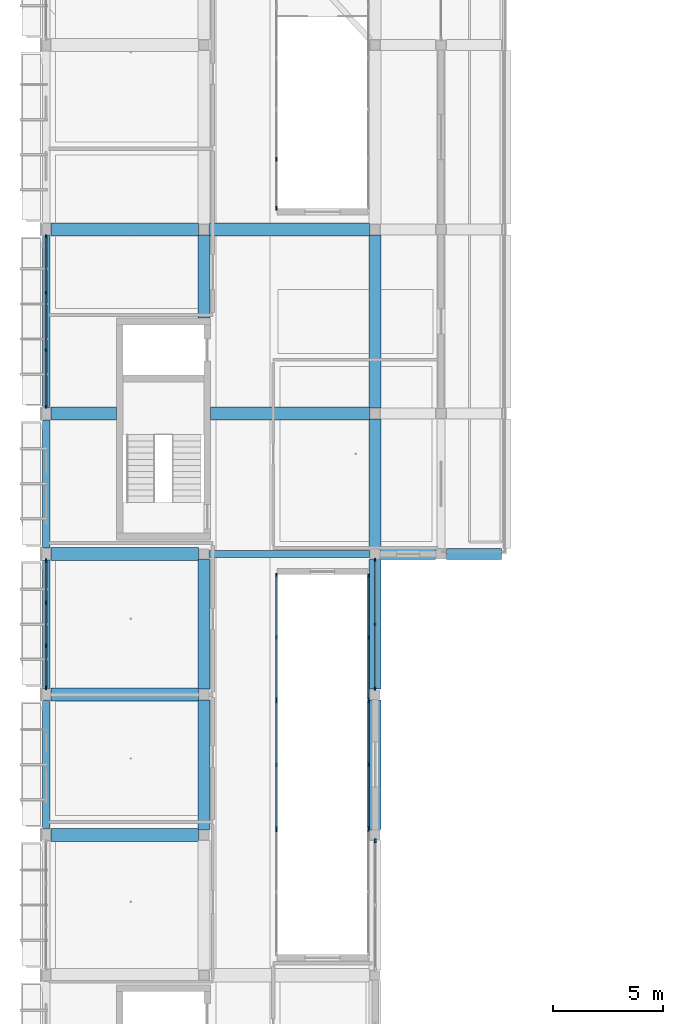
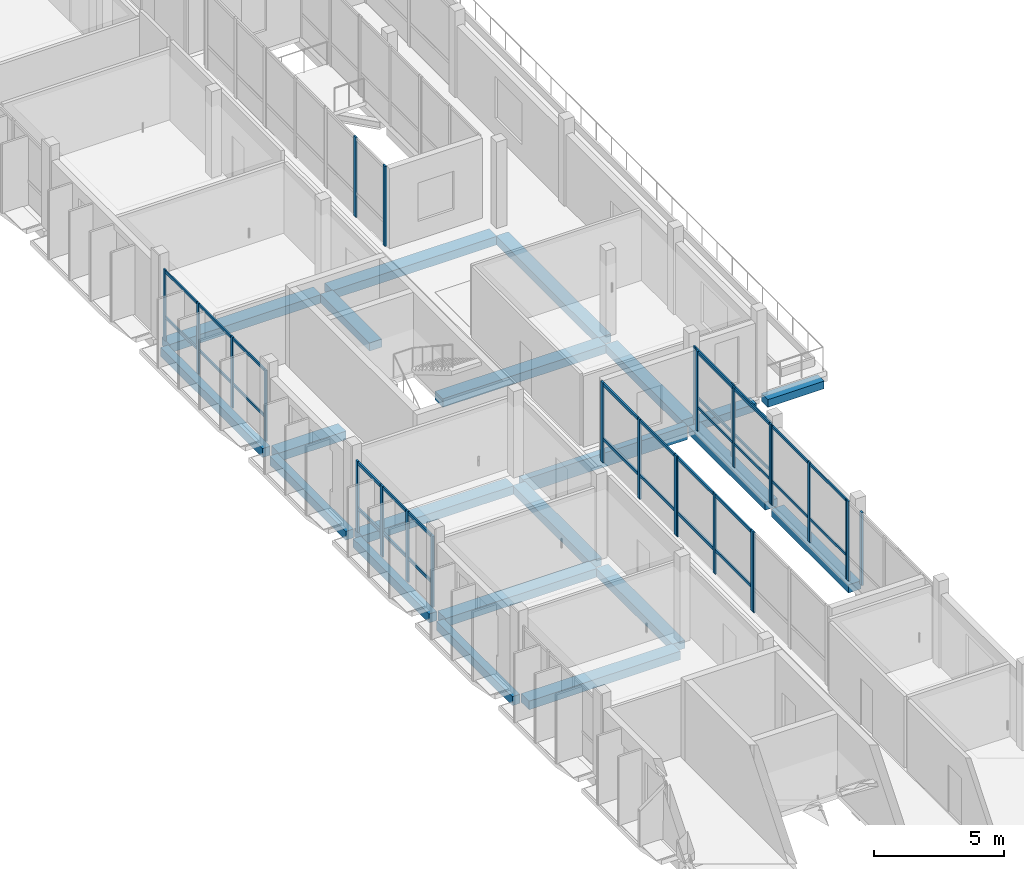
# One storey, part 6 of 86: 42 members, 21 beams, 11 elements without a shape of their own.
"""IFC4 building model written with IfcOpenShell, lengths in metres."""

from ifc_helpers import new_model, si_unit, derived_unit, direction, frame, origin, origin_2d, place, context, subcontext, project, spatial, rectangle, extrude, material, material_profile, profile_set, type_object, element, aggregate, save


model = new_model("IFC4")

# Units and contexts
model_context = context("Model", 3, precision=1e-05, world=origin(), true_north=direction((0.0, 1.0)))
body_context = subcontext(model_context, "Body", "Model", "MODEL_VIEW")
ifc_project = project(units=[si_unit("LENGTHUNIT", "METRE"), si_unit("AREAUNIT", "SQUARE_METRE"), si_unit("VOLUMEUNIT", "CUBIC_METRE"), si_unit("PLANEANGLEUNIT", "RADIAN"), si_unit("MASSUNIT", "GRAM", prefix="KILO"), derived_unit("THERMALTRANSMITTANCEUNIT", [(si_unit("POWERUNIT", "WATT"), 1), (si_unit("LENGTHUNIT", "METRE"), -2), (si_unit("THERMODYNAMICTEMPERATUREUNIT", "KELVIN"), -1)])], contexts=[model_context])

# Site, building, storey
site_placement = place(None, origin())
site = spatial("IfcSite", under=ifc_project, at=site_placement, CompositionType="ELEMENT")
building_placement = place(site_placement, origin())
building = spatial("IfcBuilding", under=site, at=building_placement, Name="Braskholm Square Health Centre", CompositionType="ELEMENT")
storey_placement = place(building_placement, frame((0.0, 0.0, 13.5)))
storey = spatial("IfcBuildingStorey", under=building, at=storey_placement, Name="L04", CompositionType="ELEMENT", Elevation=13.5)

# Curtain wall, members
ifc_material_1 = material(Name="Low-E triple insulating glass (VLT 0.64)", Category="glass")
curtain_wall_type_1 = type_object("IfcCurtainWallType", Name="UnitisedCurtainWall6200x3650", PredefinedType="NOTDEFINED", material=ifc_material_1)
curtain_wall_1_placement = place(storey_placement, origin())
curtain_wall_1 = element("IfcCurtainWall", 1, at=curtain_wall_1_placement, inside=storey, type_object=curtain_wall_type_1, Name="West Outer unitised curtain wall CW-L04-0026", PredefinedType="NOTDEFINED")
ifc_material_2 = material(Name="Architectural bronze anodised aluminium", Category="aluminium")
ifc_material_profile_1 = material_profile(ifc_material_2, rectangle(XDim=0.06494140625, YDim=0.14990234375, at=origin_2d()), Name="ALU-65X150")
ifc_profile_set_1 = profile_set([ifc_material_profile_1], Name="Architectural bronze anodised aluminium")
member_type_1 = type_object("IfcMemberType", Name="CurtainWallMullion65x150", PredefinedType="MULLION", material=ifc_profile_set_1)
member_1_placement = place(storey_placement, frame((4.199951171875, 63.48291015625, 0.0), z_axis=(0.0, 0.0, 1.0), x_axis=(1.0, 0.0, 0.0)))
member_1 = element("IfcMember", 2, at=member_1_placement, type_object=member_type_1, Name="CW-L04-0026 vertical mullion 1", PredefinedType="MULLION", context=body_context, shape_type="SweptSolid", body=[
    extrude(rectangle(XDim=0.06494140625, YDim=0.14990234375, at=origin_2d()), origin(), (0.0, 0.0, 1.0), 3.330078125),
])
member_2_placement = place(storey_placement, frame((4.199951171875, 60.909912109375, 0.0), z_axis=(0.0, 0.0, 1.0), x_axis=(1.0, 0.0, 0.0)))
member_2 = element("IfcMember", 3, at=member_2_placement, type_object=member_type_1, Name="CW-L04-0026 vertical mullion 2", PredefinedType="MULLION", context=body_context, shape_type="SweptSolid", body=[
    extrude(rectangle(XDim=0.06494140625, YDim=0.14990234375, at=origin_2d()), origin(), (0.0, 0.0, 1.0), 3.330078125),
])
member_3_placement = place(storey_placement, frame((4.199951171875, 58.2900390625, 0.0), z_axis=(0.0, 0.0, 1.0), x_axis=(1.0, 0.0, 0.0)))
member_3 = element("IfcMember", 4, at=member_3_placement, type_object=member_type_1, Name="CW-L04-0026 vertical mullion 3", PredefinedType="MULLION", context=body_context, shape_type="SweptSolid", body=[
    extrude(rectangle(XDim=0.06494140625, YDim=0.14990234375, at=origin_2d()), origin(), (0.0, 0.0, 1.0), 3.330078125),
])
member_4_placement = place(storey_placement, frame((4.199951171875, 55.71728515625, 0.0), z_axis=(0.0, 0.0, 1.0), x_axis=(1.0, 0.0, 0.0)))
member_4 = element("IfcMember", 5, at=member_4_placement, type_object=member_type_1, Name="CW-L04-0026 vertical mullion 4", PredefinedType="MULLION", context=body_context, shape_type="SweptSolid", body=[
    extrude(rectangle(XDim=0.06494140625, YDim=0.14990234375, at=origin_2d()), origin(), (0.0, 0.0, 1.0), 3.330078125),
])

curtain_wall_2_placement = place(storey_placement, origin())
curtain_wall_2 = element("IfcCurtainWall", 6, at=curtain_wall_2_placement, inside=storey, type_object=curtain_wall_type_1, Name="West Valley unitised curtain wall CW-L04-0098", PredefinedType="NOTDEFINED")
member_5_placement = place(storey_placement, frame((19.199951171875, 42.87548828125, 0.0), z_axis=(0.0, 0.0, 1.0), x_axis=(1.0, 0.0, 0.0)))
member_5 = element("IfcMember", 7, at=member_5_placement, type_object=member_type_1, Name="CW-L04-0098 vertical mullion 1", PredefinedType="MULLION", context=body_context, shape_type="SweptSolid", body=[
    extrude(rectangle(XDim=0.06494140625, YDim=0.14990234375, at=origin_2d()), origin(), (0.0, 0.0, 1.0), 3.419921875),
])
member_6_placement = place(storey_placement, frame((19.199951171875, 45.800048828125, 0.0), z_axis=(0.0, 0.0, 1.0), x_axis=(1.0, 0.0, 0.0)))
member_6 = element("IfcMember", 8, at=member_6_placement, type_object=member_type_1, Name="CW-L04-0098 vertical mullion 2", PredefinedType="MULLION", context=body_context, shape_type="SweptSolid", body=[
    extrude(rectangle(XDim=0.06494140625, YDim=0.14990234375, at=origin_2d()), origin(), (0.0, 0.0, 1.0), 3.419921875),
])
member_7_placement = place(storey_placement, frame((19.199951171875, 48.724609375, 0.0), z_axis=(0.0, 0.0, 1.0), x_axis=(1.0, 0.0, 0.0)))
member_7 = element("IfcMember", 9, at=member_7_placement, type_object=member_type_1, Name="CW-L04-0098 vertical mullion 3", PredefinedType="MULLION", context=body_context, shape_type="SweptSolid", body=[
    extrude(rectangle(XDim=0.06494140625, YDim=0.14990234375, at=origin_2d()), origin(), (0.0, 0.0, 1.0), 3.419921875),
])

# Curtain wall, member
curtain_wall_type_2 = type_object("IfcCurtainWallType", Name="UnitisedCurtainWall5400x3800", PredefinedType="NOTDEFINED", material=ifc_material_1)
curtain_wall_3_placement = place(storey_placement, origin())
curtain_wall_3 = element("IfcCurtainWall", 10, at=curtain_wall_3_placement, inside=storey, type_object=curtain_wall_type_2, Name="WC1 Court E unitised curtain wall CW-L04-0268", PredefinedType="NOTDEFINED")
member_8_placement = place(storey_placement, frame((18.89990234375, 36.427734375, 0.0), z_axis=(0.0, 0.0, 1.0), x_axis=(1.0, 0.0, 0.0)))
member_8 = element("IfcMember", 11, at=member_8_placement, type_object=member_type_1, Name="CW-L04-0268 vertical mullion 1", PredefinedType="MULLION", context=body_context, shape_type="SweptSolid", body=[
    extrude(rectangle(XDim=0.06494140625, YDim=0.14990234375, at=origin_2d()), origin(), (0.0, 0.0, 1.0), 3.75),
])
aggregate(curtain_wall_3, [member_8])

# Curtain wall, members
curtain_wall_type_3 = type_object("IfcCurtainWallType", Name="UnitisedCurtainWall6200x3800", PredefinedType="NOTDEFINED", material=ifc_material_1)
curtain_wall_4_placement = place(storey_placement, origin())
curtain_wall_4 = element("IfcCurtainWall", 12, at=curtain_wall_4_placement, inside=storey, type_object=curtain_wall_type_3, Name="WC1 Court E unitised curtain wall CW-L04-0270", PredefinedType="NOTDEFINED")
member_9_placement = place(storey_placement, frame((18.89990234375, 42.29296875, 0.0), z_axis=(0.0, 0.0, 1.0), x_axis=(1.0, 0.0, 0.0)))
member_9 = element("IfcMember", 13, at=member_9_placement, type_object=member_type_1, Name="CW-L04-0270 vertical mullion 1", PredefinedType="MULLION", context=body_context, shape_type="SweptSolid", body=[
    extrude(rectangle(XDim=0.06494140625, YDim=0.14990234375, at=origin_2d()), origin(), (0.0, 0.0, 1.0), 3.75),
])
member_10_placement = place(storey_placement, frame((18.89990234375, 39.39990234375, 0.0), z_axis=(0.0, 0.0, 1.0), x_axis=(1.0, 0.0, 0.0)))
member_10 = element("IfcMember", 14, at=member_10_placement, type_object=member_type_1, Name="CW-L04-0270 vertical mullion 2", PredefinedType="MULLION", context=body_context, shape_type="SweptSolid", body=[
    extrude(rectangle(XDim=0.06494140625, YDim=0.14990234375, at=origin_2d()), origin(), (0.0, 0.0, 1.0), 3.75),
])
member_11_placement = place(storey_placement, frame((18.89990234375, 36.507080078125, 0.0), z_axis=(0.0, 0.0, 1.0), x_axis=(1.0, 0.0, 0.0)))
member_11 = element("IfcMember", 15, at=member_11_placement, type_object=member_type_1, Name="CW-L04-0270 vertical mullion 3", PredefinedType="MULLION", context=body_context, shape_type="SweptSolid", body=[
    extrude(rectangle(XDim=0.06494140625, YDim=0.14990234375, at=origin_2d()), origin(), (0.0, 0.0, 1.0), 3.75),
])

curtain_wall_5_placement = place(storey_placement, origin())
curtain_wall_5 = element("IfcCurtainWall", 16, at=curtain_wall_5_placement, inside=storey, type_object=curtain_wall_type_2, Name="WC1 Court E unitised curtain wall CW-L04-0272", PredefinedType="NOTDEFINED")
member_12_placement = place(storey_placement, frame((18.89990234375, 48.025634765625, 0.0), z_axis=(0.0, 0.0, 1.0), x_axis=(1.0, 0.0, 0.0)))
member_12 = element("IfcMember", 17, at=member_12_placement, type_object=member_type_1, Name="CW-L04-0272 vertical mullion 1", PredefinedType="MULLION", context=body_context, shape_type="SweptSolid", body=[
    extrude(rectangle(XDim=0.06494140625, YDim=0.14990234375, at=origin_2d()), origin(), (0.0, 0.0, 1.0), 3.75),
])
member_13_placement = place(storey_placement, frame((18.89990234375, 45.198974609375, 0.0), z_axis=(0.0, 0.0, 1.0), x_axis=(1.0, 0.0, 0.0)))
member_13 = element("IfcMember", 18, at=member_13_placement, type_object=member_type_1, Name="CW-L04-0272 vertical mullion 2", PredefinedType="MULLION", context=body_context, shape_type="SweptSolid", body=[
    extrude(rectangle(XDim=0.06494140625, YDim=0.14990234375, at=origin_2d()), origin(), (0.0, 0.0, 1.0), 3.75),
])
member_14_placement = place(storey_placement, frame((18.89990234375, 42.372314453125, 0.0), z_axis=(0.0, 0.0, 1.0), x_axis=(1.0, 0.0, 0.0)))
member_14 = element("IfcMember", 19, at=member_14_placement, type_object=member_type_1, Name="CW-L04-0272 vertical mullion 3", PredefinedType="MULLION", context=body_context, shape_type="SweptSolid", body=[
    extrude(rectangle(XDim=0.06494140625, YDim=0.14990234375, at=origin_2d()), origin(), (0.0, 0.0, 1.0), 3.75),
])

curtain_wall_6_placement = place(storey_placement, origin())
curtain_wall_6 = element("IfcCurtainWall", 20, at=curtain_wall_6_placement, inside=storey, type_object=curtain_wall_type_1, Name="West Outer unitised curtain wall CW-L04-0025", PredefinedType="NOTDEFINED")
ifc_material_profile_2 = material_profile(ifc_material_2, rectangle(XDim=0.074951171875, YDim=0.179931640625, at=origin_2d()), Name="ALU-75X180")
ifc_profile_set_2 = profile_set([ifc_material_profile_2], Name="Architectural bronze anodised aluminium")
member_type_2 = type_object("IfcMemberType", Name="CurtainWallMullion75x180", PredefinedType="MULLION", material=ifc_profile_set_2)
member_15_placement = place(storey_placement, frame((4.199951171875, 48.69482421875, 0.0), z_axis=(0.0, 0.0, 1.0), x_axis=(1.0, 0.0, 0.0)))
member_15 = element("IfcMember", 21, at=member_15_placement, type_object=member_type_2, Name="CW-L04-0025 vertical mullion 1", PredefinedType="MULLION", context=body_context, shape_type="SweptSolid", body=[
    extrude(rectangle(XDim=0.074951171875, YDim=0.179931640625, at=origin_2d()), origin(), (0.0, 0.0, 1.0), 3.330078125),
])
member_16_placement = place(storey_placement, frame((4.199951171875, 46.776611328125, 0.0), z_axis=(0.0, 0.0, 1.0), x_axis=(1.0, 0.0, 0.0)))
member_16 = element("IfcMember", 22, at=member_16_placement, type_object=member_type_2, Name="CW-L04-0025 vertical mullion 2", PredefinedType="MULLION", context=body_context, shape_type="SweptSolid", body=[
    extrude(rectangle(XDim=0.074951171875, YDim=0.179931640625, at=origin_2d()), origin(), (0.0, 0.0, 1.0), 3.330078125),
])
member_17_placement = place(storey_placement, frame((4.199951171875, 44.8232421875, 0.0), z_axis=(0.0, 0.0, 1.0), x_axis=(1.0, 0.0, 0.0)))
member_17 = element("IfcMember", 23, at=member_17_placement, type_object=member_type_2, Name="CW-L04-0025 vertical mullion 3", PredefinedType="MULLION", context=body_context, shape_type="SweptSolid", body=[
    extrude(rectangle(XDim=0.074951171875, YDim=0.179931640625, at=origin_2d()), origin(), (0.0, 0.0, 1.0), 3.330078125),
])
member_18_placement = place(storey_placement, frame((4.199951171875, 42.9052734375, 0.0), z_axis=(0.0, 0.0, 1.0), x_axis=(1.0, 0.0, 0.0)))
member_18 = element("IfcMember", 24, at=member_18_placement, type_object=member_type_2, Name="CW-L04-0025 vertical mullion 4", PredefinedType="MULLION", context=body_context, shape_type="SweptSolid", body=[
    extrude(rectangle(XDim=0.074951171875, YDim=0.179931640625, at=origin_2d()), origin(), (0.0, 0.0, 1.0), 3.330078125),
])

# Curtain wall, member
curtain_wall_7_placement = place(storey_placement, origin())
curtain_wall_7 = element("IfcCurtainWall", 25, at=curtain_wall_7_placement, inside=storey, type_object=curtain_wall_type_1, Name="West Valley unitised curtain wall CW-L04-0097", PredefinedType="NOTDEFINED")
member_19_placement = place(storey_placement, frame((19.199951171875, 35.924560546875, 0.0), z_axis=(0.0, 0.0, 1.0), x_axis=(1.0, 0.0, 0.0)))
member_19 = element("IfcMember", 26, at=member_19_placement, type_object=member_type_2, Name="CW-L04-0097 vertical mullion 3", PredefinedType="MULLION", context=body_context, shape_type="SweptSolid", body=[
    extrude(rectangle(XDim=0.074951171875, YDim=0.179931640625, at=origin_2d()), origin(), (0.0, 0.0, 1.0), 3.419921875),
])
aggregate(curtain_wall_7, [member_19])

curtain_wall_8_placement = place(storey_placement, origin())
curtain_wall_8 = element("IfcCurtainWall", 27, at=curtain_wall_8_placement, inside=storey, type_object=curtain_wall_type_2, Name="WC1 Court W unitised curtain wall CW-L04-0267", PredefinedType="NOTDEFINED")
member_20_placement = place(storey_placement, frame((14.699951171875, 36.427734375, 0.0), z_axis=(0.0, 0.0, 1.0), x_axis=(1.0, 0.0, 0.0)))
member_20 = element("IfcMember", 28, at=member_20_placement, type_object=member_type_2, Name="CW-L04-0267 vertical mullion 3", PredefinedType="MULLION", context=body_context, shape_type="SweptSolid", body=[
    extrude(rectangle(XDim=0.074951171875, YDim=0.179931640625, at=origin_2d()), origin(), (0.0, 0.0, 1.0), 3.75),
])
aggregate(curtain_wall_8, [member_20])

# Curtain wall, members
curtain_wall_9_placement = place(storey_placement, origin())
curtain_wall_9 = element("IfcCurtainWall", 29, at=curtain_wall_9_placement, inside=storey, type_object=curtain_wall_type_3, Name="WC1 Court W unitised curtain wall CW-L04-0269", PredefinedType="NOTDEFINED")
member_21_placement = place(storey_placement, frame((14.699951171875, 36.507080078125, 0.0), z_axis=(0.0, 0.0, 1.0), x_axis=(1.0, 0.0, 0.0)))
member_21 = element("IfcMember", 30, at=member_21_placement, type_object=member_type_2, Name="CW-L04-0269 vertical mullion 1", PredefinedType="MULLION", context=body_context, shape_type="SweptSolid", body=[
    extrude(rectangle(XDim=0.074951171875, YDim=0.179931640625, at=origin_2d()), origin(), (0.0, 0.0, 1.0), 3.75),
])
member_22_placement = place(storey_placement, frame((14.699951171875, 39.39990234375, 0.0), z_axis=(0.0, 0.0, 1.0), x_axis=(1.0, 0.0, 0.0)))
member_22 = element("IfcMember", 31, at=member_22_placement, type_object=member_type_2, Name="CW-L04-0269 vertical mullion 2", PredefinedType="MULLION", context=body_context, shape_type="SweptSolid", body=[
    extrude(rectangle(XDim=0.074951171875, YDim=0.179931640625, at=origin_2d()), origin(), (0.0, 0.0, 1.0), 3.75),
])
member_23_placement = place(storey_placement, frame((14.699951171875, 42.29296875, 0.0), z_axis=(0.0, 0.0, 1.0), x_axis=(1.0, 0.0, 0.0)))
member_23 = element("IfcMember", 32, at=member_23_placement, type_object=member_type_2, Name="CW-L04-0269 vertical mullion 3", PredefinedType="MULLION", context=body_context, shape_type="SweptSolid", body=[
    extrude(rectangle(XDim=0.074951171875, YDim=0.179931640625, at=origin_2d()), origin(), (0.0, 0.0, 1.0), 3.75),
])

curtain_wall_10_placement = place(storey_placement, origin())
curtain_wall_10 = element("IfcCurtainWall", 33, at=curtain_wall_10_placement, inside=storey, type_object=curtain_wall_type_2, Name="WC1 Court W unitised curtain wall CW-L04-0271", PredefinedType="NOTDEFINED")
member_24_placement = place(storey_placement, frame((14.699951171875, 42.372314453125, 0.0), z_axis=(0.0, 0.0, 1.0), x_axis=(1.0, 0.0, 0.0)))
member_24 = element("IfcMember", 34, at=member_24_placement, type_object=member_type_2, Name="CW-L04-0271 vertical mullion 1", PredefinedType="MULLION", context=body_context, shape_type="SweptSolid", body=[
    extrude(rectangle(XDim=0.074951171875, YDim=0.179931640625, at=origin_2d()), origin(), (0.0, 0.0, 1.0), 3.75),
])
member_25_placement = place(storey_placement, frame((14.699951171875, 45.198974609375, 0.0), z_axis=(0.0, 0.0, 1.0), x_axis=(1.0, 0.0, 0.0)))
member_25 = element("IfcMember", 35, at=member_25_placement, type_object=member_type_2, Name="CW-L04-0271 vertical mullion 2", PredefinedType="MULLION", context=body_context, shape_type="SweptSolid", body=[
    extrude(rectangle(XDim=0.074951171875, YDim=0.179931640625, at=origin_2d()), origin(), (0.0, 0.0, 1.0), 3.75),
])
member_26_placement = place(storey_placement, frame((14.699951171875, 48.025634765625, 0.0), z_axis=(0.0, 0.0, 1.0), x_axis=(1.0, 0.0, 0.0)))
member_26 = element("IfcMember", 36, at=member_26_placement, type_object=member_type_2, Name="CW-L04-0271 vertical mullion 3", PredefinedType="MULLION", context=body_context, shape_type="SweptSolid", body=[
    extrude(rectangle(XDim=0.074951171875, YDim=0.179931640625, at=origin_2d()), origin(), (0.0, 0.0, 1.0), 3.75),
])

curtain_wall_type_4 = type_object("IfcCurtainWallType", Name="UnitisedCurtainWall4800x3800", PredefinedType="NOTDEFINED", material=ifc_material_1)
curtain_wall_11_placement = place(storey_placement, origin())
curtain_wall_11 = element("IfcCurtainWall", 37, at=curtain_wall_11_placement, inside=storey, type_object=curtain_wall_type_4, Name="WC2 Court W unitised curtain wall CW-L04-0303", PredefinedType="NOTDEFINED")
member_27_placement = place(storey_placement, frame((14.699951171875, 64.76708984375, 0.0), z_axis=(0.0, 0.0, 1.0), x_axis=(1.0, 0.0, 0.0)))
member_27 = element("IfcMember", 38, at=member_27_placement, type_object=member_type_2, Name="CW-L04-0303 vertical mullion 1", PredefinedType="MULLION", context=body_context, shape_type="SweptSolid", body=[
    extrude(rectangle(XDim=0.074951171875, YDim=0.179931640625, at=origin_2d()), origin(), (0.0, 0.0, 1.0), 3.75),
])
member_28_placement = place(storey_placement, frame((14.699951171875, 67.0009765625, 0.0), z_axis=(0.0, 0.0, 1.0), x_axis=(1.0, 0.0, 0.0)))
member_28 = element("IfcMember", 39, at=member_28_placement, type_object=member_type_2, Name="CW-L04-0303 vertical mullion 2", PredefinedType="MULLION", context=body_context, shape_type="SweptSolid", body=[
    extrude(rectangle(XDim=0.074951171875, YDim=0.179931640625, at=origin_2d()), origin(), (0.0, 0.0, 1.0), 3.75),
])
aggregate(curtain_wall_11, [member_27, member_28])

# Member
ifc_material_profile_3 = material_profile(ifc_material_2, rectangle(XDim=0.06494140625, YDim=0.1201171875, at=origin_2d()), Name="ALU-65X120")
ifc_profile_set_3 = profile_set([ifc_material_profile_3], Name="Architectural bronze anodised aluminium")
member_type_3 = type_object("IfcMemberType", Name="CurtainWallTransom65x120", PredefinedType="USERDEFINED", material=ifc_profile_set_3)
member_29_placement = place(storey_placement, frame((4.199951171875, 63.485107421875, 1.1201171875), z_axis=(0.0, -1.0, 0.0), x_axis=(1.0, 0.0, 0.0)))
member_29 = element("IfcMember", 40, at=member_29_placement, type_object=member_type_3, Name="CW-L04-0026 horizontal transom 1", ObjectType="TRANSOM", PredefinedType="USERDEFINED", context=body_context, shape_type="SweptSolid", body=[
    extrude(rectangle(XDim=0.06494140625, YDim=0.1201171875, at=origin_2d()), origin(), (0.0, 0.0, 1.0), 7.77001953125),
])

member_30_placement = place(storey_placement, frame((4.199951171875, 63.485107421875, 3.260009765625), z_axis=(0.0, -1.0, 0.0), x_axis=(1.0, 0.0, 0.0)))
member_30 = element("IfcMember", 41, at=member_30_placement, type_object=member_type_3, Name="CW-L04-0026 horizontal transom 2", ObjectType="TRANSOM", PredefinedType="USERDEFINED", context=body_context, shape_type="SweptSolid", body=[
    extrude(rectangle(XDim=0.06494140625, YDim=0.1201171875, at=origin_2d()), origin(), (0.0, 0.0, 1.0), 7.77001953125),
])

aggregate(curtain_wall_1, [member_1, member_2, member_3, member_4, member_29, member_30])

member_31_placement = place(storey_placement, frame((19.199951171875, 42.885009765625, 1.1201171875), z_axis=(0.0, 1.0, 0.0), x_axis=(-1.0, 0.0, 0.0)))
member_31 = element("IfcMember", 42, at=member_31_placement, type_object=member_type_3, Name="CW-L04-0098 horizontal transom 1", ObjectType="TRANSOM", PredefinedType="USERDEFINED", context=body_context, shape_type="SweptSolid", body=[
    extrude(rectangle(XDim=0.06494140625, YDim=0.1201171875, at=origin_2d()), origin(), (0.0, 0.0, 1.0), 5.830078125),
])

member_32_placement = place(storey_placement, frame((19.199951171875, 42.885009765625, 3.35009765625), z_axis=(0.0, 1.0, 0.0), x_axis=(-1.0, 0.0, 0.0)))
member_32 = element("IfcMember", 43, at=member_32_placement, type_object=member_type_3, Name="CW-L04-0098 horizontal transom 2", ObjectType="TRANSOM", PredefinedType="USERDEFINED", context=body_context, shape_type="SweptSolid", body=[
    extrude(rectangle(XDim=0.06494140625, YDim=0.1201171875, at=origin_2d()), origin(), (0.0, 0.0, 1.0), 5.830078125),
])

aggregate(curtain_wall_2, [member_5, member_6, member_7, member_31, member_32])

member_33_placement = place(storey_placement, frame((18.89990234375, 42.282958984375, 1.1201171875), z_axis=(0.0, -1.0, 0.0), x_axis=(1.0, 0.0, 0.0)))
member_33 = element("IfcMember", 44, at=member_33_placement, type_object=member_type_3, Name="CW-L04-0270 horizontal transom 1", ObjectType="TRANSOM", PredefinedType="USERDEFINED", context=body_context, shape_type="SweptSolid", body=[
    extrude(rectangle(XDim=0.06494140625, YDim=0.1201171875, at=origin_2d()), origin(), (0.0, 0.0, 1.0), 5.765869140625),
])

member_34_placement = place(storey_placement, frame((18.89990234375, 42.282958984375, 3.679931640625), z_axis=(0.0, -1.0, 0.0), x_axis=(1.0, 0.0, 0.0)))
member_34 = element("IfcMember", 45, at=member_34_placement, type_object=member_type_3, Name="CW-L04-0270 horizontal transom 2", ObjectType="TRANSOM", PredefinedType="USERDEFINED", context=body_context, shape_type="SweptSolid", body=[
    extrude(rectangle(XDim=0.06494140625, YDim=0.1201171875, at=origin_2d()), origin(), (0.0, 0.0, 1.0), 5.765869140625),
])

aggregate(curtain_wall_4, [member_9, member_10, member_11, member_33, member_34])

member_35_placement = place(storey_placement, frame((18.89990234375, 48.014892578125, 1.1201171875), z_axis=(0.0, -1.0, 0.0), x_axis=(1.0, 0.0, 0.0)))
member_35 = element("IfcMember", 46, at=member_35_placement, type_object=member_type_3, Name="CW-L04-0272 horizontal transom 1", ObjectType="TRANSOM", PredefinedType="USERDEFINED", context=body_context, shape_type="SweptSolid", body=[
    extrude(rectangle(XDim=0.06494140625, YDim=0.1201171875, at=origin_2d()), origin(), (0.0, 0.0, 1.0), 5.6318359375),
])

member_36_placement = place(storey_placement, frame((18.89990234375, 48.014892578125, 3.679931640625), z_axis=(0.0, -1.0, 0.0), x_axis=(1.0, 0.0, 0.0)))
member_36 = element("IfcMember", 47, at=member_36_placement, type_object=member_type_3, Name="CW-L04-0272 horizontal transom 2", ObjectType="TRANSOM", PredefinedType="USERDEFINED", context=body_context, shape_type="SweptSolid", body=[
    extrude(rectangle(XDim=0.06494140625, YDim=0.1201171875, at=origin_2d()), origin(), (0.0, 0.0, 1.0), 5.6318359375),
])

aggregate(curtain_wall_5, [member_12, member_13, member_14, member_35, member_36])

ifc_material_profile_4 = material_profile(ifc_material_2, rectangle(XDim=0.074951171875, YDim=0.139892578125, at=origin_2d()), Name="ALU-75X140")
ifc_profile_set_4 = profile_set([ifc_material_profile_4], Name="Architectural bronze anodised aluminium")
member_type_4 = type_object("IfcMemberType", Name="CurtainWallTransom75x140", PredefinedType="USERDEFINED", material=ifc_profile_set_4)
member_37_placement = place(storey_placement, frame((4.199951171875, 48.68505859375, 1.1201171875), z_axis=(0.0, -1.0, 0.0), x_axis=(1.0, 0.0, 0.0)))
member_37 = element("IfcMember", 48, at=member_37_placement, type_object=member_type_4, Name="CW-L04-0025 horizontal transom 1", ObjectType="TRANSOM", PredefinedType="USERDEFINED", context=body_context, shape_type="SweptSolid", body=[
    extrude(rectangle(XDim=0.074951171875, YDim=0.139892578125, at=origin_2d()), origin(), (0.0, 0.0, 1.0), 5.77001953125),
])

member_38_placement = place(storey_placement, frame((4.199951171875, 48.68505859375, 3.260009765625), z_axis=(0.0, -1.0, 0.0), x_axis=(1.0, 0.0, 0.0)))
member_38 = element("IfcMember", 49, at=member_38_placement, type_object=member_type_4, Name="CW-L04-0025 horizontal transom 2", ObjectType="TRANSOM", PredefinedType="USERDEFINED", context=body_context, shape_type="SweptSolid", body=[
    extrude(rectangle(XDim=0.074951171875, YDim=0.139892578125, at=origin_2d()), origin(), (0.0, 0.0, 1.0), 5.77001953125),
])

aggregate(curtain_wall_6, [member_15, member_16, member_17, member_18, member_37, member_38])

member_39_placement = place(storey_placement, frame((14.699951171875, 36.51708984375, 1.1201171875), z_axis=(0.0, 1.0, 0.0), x_axis=(-1.0, 0.0, 0.0)))
member_39 = element("IfcMember", 50, at=member_39_placement, type_object=member_type_4, Name="CW-L04-0269 horizontal transom 1", ObjectType="TRANSOM", PredefinedType="USERDEFINED", context=body_context, shape_type="SweptSolid", body=[
    extrude(rectangle(XDim=0.074951171875, YDim=0.139892578125, at=origin_2d()), origin(), (0.0, 0.0, 1.0), 5.765869140625),
])

member_40_placement = place(storey_placement, frame((14.699951171875, 36.51708984375, 3.679931640625), z_axis=(0.0, 1.0, 0.0), x_axis=(-1.0, 0.0, 0.0)))
member_40 = element("IfcMember", 51, at=member_40_placement, type_object=member_type_4, Name="CW-L04-0269 horizontal transom 2", ObjectType="TRANSOM", PredefinedType="USERDEFINED", context=body_context, shape_type="SweptSolid", body=[
    extrude(rectangle(XDim=0.074951171875, YDim=0.139892578125, at=origin_2d()), origin(), (0.0, 0.0, 1.0), 5.765869140625),
])

aggregate(curtain_wall_9, [member_21, member_22, member_23, member_39, member_40])

member_41_placement = place(storey_placement, frame((14.699951171875, 42.383056640625, 1.1201171875), z_axis=(0.0, 1.0, 0.0), x_axis=(-1.0, 0.0, 0.0)))
member_41 = element("IfcMember", 52, at=member_41_placement, type_object=member_type_4, Name="CW-L04-0271 horizontal transom 1", ObjectType="TRANSOM", PredefinedType="USERDEFINED", context=body_context, shape_type="SweptSolid", body=[
    extrude(rectangle(XDim=0.074951171875, YDim=0.139892578125, at=origin_2d()), origin(), (0.0, 0.0, 1.0), 5.6318359375),
])

member_42_placement = place(storey_placement, frame((14.699951171875, 42.383056640625, 3.679931640625), z_axis=(0.0, 1.0, 0.0), x_axis=(-1.0, 0.0, 0.0)))
member_42 = element("IfcMember", 53, at=member_42_placement, type_object=member_type_4, Name="CW-L04-0271 horizontal transom 2", ObjectType="TRANSOM", PredefinedType="USERDEFINED", context=body_context, shape_type="SweptSolid", body=[
    extrude(rectangle(XDim=0.074951171875, YDim=0.139892578125, at=origin_2d()), origin(), (0.0, 0.0, 1.0), 5.6318359375),
])

aggregate(curtain_wall_10, [member_24, member_25, member_26, member_41, member_42])

# Beams
ifc_material_3 = material(Name="Concrete C35/45 (f'c = 35 MPa)", Category="concrete")
ifc_material_profile_5 = material_profile(ifc_material_3, rectangle(XDim=0.5, YDim=0.360107421875, at=origin_2d()), Name="RCB-500X360")
ifc_profile_set_5 = profile_set([ifc_material_profile_5], Name="Concrete C35/45 (f'c = 35 MPa)")
beam_type_1 = type_object("IfcBeamType", Name="PrimaryBandBeam500x360", PredefinedType="BEAM", material=ifc_profile_set_5)
for number, where, z_axis, x_axis, name in (
    (54, (19.449951171875, 49.0, -0.429931640625), (1.0, 0.0, 0.0), (0.0, 1.0, 0.0), "Beam 3-4/H L04"),
    (55, (22.449951171875, 49.0, -0.429931640625), (1.0, 0.0, 0.0), (0.0, 1.0, 0.0), "Beam 4-5/H L04"),
):
    element("IfcBeam", number, at=place(storey_placement, frame(where, z_axis=z_axis, x_axis=x_axis)), inside=storey, type_object=beam_type_1, Name=name, PredefinedType="BEAM", context=body_context, shape_type="SweptSolid", body=[
        extrude(rectangle(XDim=0.5, YDim=0.360107421875, at=origin_2d()), origin(), (0.0, 0.0, 1.0), 2.5),
    ])
ifc_material_profile_6 = material_profile(ifc_material_3, rectangle(XDim=0.550048828125, YDim=0.3798828125, at=origin_2d()), Name="RCB-550X380")
ifc_profile_set_6 = profile_set([ifc_material_profile_6], Name="Concrete C35/45 (f'c = 35 MPa)")
beam_type_2 = type_object("IfcBeamType", Name="PrimaryBandBeam550x380", PredefinedType="BEAM", material=ifc_profile_set_6)
beam_1_placement = place(storey_placement, frame((11.39990234375, 36.449951171875, -0.489990234375), z_axis=(0.0, 1.0, 0.0), x_axis=(-1.0, 0.0, 0.0)))
element("IfcBeam", 56, at=beam_1_placement, inside=storey, type_object=beam_type_2, Name="Beam 2/F-G L04", PredefinedType="BEAM", context=body_context, shape_type="SweptSolid", body=[
    extrude(rectangle(XDim=0.550048828125, YDim=0.3798828125, at=origin_2d()), origin(), (0.0, 0.0, 1.0), 5.900146484375),
])
beam_2_placement = place(storey_placement, frame((11.39990234375, 42.85009765625, -0.489990234375), z_axis=(0.0, 1.0, 0.0), x_axis=(-1.0, 0.0, 0.0)))
element("IfcBeam", 57, at=beam_2_placement, inside=storey, type_object=beam_type_2, Name="Beam 2/G-H L04", PredefinedType="BEAM", context=body_context, shape_type="SweptSolid", body=[
    extrude(rectangle(XDim=0.550048828125, YDim=0.3798828125, at=origin_2d()), origin(), (0.0, 0.0, 1.0), 5.89990234375),
])
beam_3_placement = place(storey_placement, frame((11.39990234375, 59.75, -0.489990234375), z_axis=(0.0, 1.0, 0.0), x_axis=(-1.0, 0.0, 0.0)))
element("IfcBeam", 58, at=beam_3_placement, inside=storey, type_object=beam_type_2, Name="Beam 2/H-K L04", PredefinedType="BEAM", context=body_context, shape_type="SweptSolid", body=[
    extrude(rectangle(XDim=0.550048828125, YDim=0.3798828125, at=origin_2d()), origin(), (0.0, 0.0, 1.0), 3.800048828125),
])
beam_4_placement = place(storey_placement, frame((19.199951171875, 36.449951171875, -0.43994140625), z_axis=(0.0, 1.0, 0.0), x_axis=(-1.0, 0.0, 0.0)))
element("IfcBeam", 59, at=beam_4_placement, inside=storey, type_object=beam_type_2, Name="Beam 3/F-G L04", PredefinedType="BEAM", context=body_context, shape_type="SweptSolid", body=[
    extrude(rectangle(XDim=0.550048828125, YDim=0.3798828125, at=origin_2d()), origin(), (0.0, 0.0, 1.0), 5.900146484375),
])
for number, where, z_axis, x_axis, name in (
    (60, (19.199951171875, 42.85009765625, -0.43994140625), (0.0, 1.0, 0.0), (-1.0, 0.0, 0.0), "Beam 3/G-H L04"),
    (61, (19.199951171875, 49.25, -0.489990234375), (0.0, 1.0, 0.0), (-1.0, 0.0, 0.0), "Beam 3/H-J L04"),
):
    element("IfcBeam", number, at=place(storey_placement, frame(where, z_axis=z_axis, x_axis=x_axis)), inside=storey, type_object=beam_type_2, Name=name, PredefinedType="BEAM", context=body_context, shape_type="SweptSolid", body=[
        extrude(rectangle(XDim=0.550048828125, YDim=0.3798828125, at=origin_2d()), origin(), (0.0, 0.0, 1.0), 5.89990234375),
    ])
beam_5_placement = place(storey_placement, frame((19.199951171875, 55.64990234375, -0.489990234375), z_axis=(0.0, 1.0, 0.0), x_axis=(-1.0, 0.0, 0.0)))
element("IfcBeam", 62, at=beam_5_placement, inside=storey, type_object=beam_type_2, Name="Beam 3/J-K L04", PredefinedType="BEAM", context=body_context, shape_type="SweptSolid", body=[
    extrude(rectangle(XDim=0.550048828125, YDim=0.3798828125, at=origin_2d()), origin(), (0.0, 0.0, 1.0), 7.900146484375),
])
ifc_material_profile_7 = material_profile(ifc_material_3, rectangle(XDim=0.60009765625, YDim=0.39990234375, at=origin_2d()), Name="RCB-600X400")
ifc_profile_set_7 = profile_set([ifc_material_profile_7], Name="Concrete C35/45 (f'c = 35 MPa)")
beam_type_3 = type_object("IfcBeamType", Name="PrimaryBandBeam600x400", PredefinedType="BEAM", material=ifc_profile_set_7)
for number, where, z_axis, x_axis, name in (
    (63, (4.429931640625, 36.199951171875, -0.5), (1.0, 0.0, 0.0), (0.0, 1.0, 0.0), "Beam 1-2/F L04"),
    (64, (4.429931640625, 42.60009765625, -0.5), (1.0, 0.0, 0.0), (0.0, 1.0, 0.0), "Beam 1-2/G L04"),
    (65, (4.429931640625, 49.0, -0.5), (1.0, 0.0, 0.0), (0.0, 1.0, 0.0), "Beam 1-2/H L04"),
):
    element("IfcBeam", number, at=place(storey_placement, frame(where, z_axis=z_axis, x_axis=x_axis)), inside=storey, type_object=beam_type_3, Name=name, PredefinedType="BEAM", context=body_context, shape_type="SweptSolid", body=[
        extrude(rectangle(XDim=0.60009765625, YDim=0.39990234375, at=origin_2d()), origin(), (0.0, 0.0, 1.0), 6.719970703125),
    ])
beam_6_placement = place(storey_placement, frame((4.429931640625, 55.39990234375, -0.5), z_axis=(1.0, 0.0, 0.0), x_axis=(0.0, 1.0, 0.0)))
element("IfcBeam", 66, at=beam_6_placement, inside=storey, type_object=beam_type_3, Name="Beam 1-3/J L04", PredefinedType="BEAM", context=body_context, shape_type="SweptSolid", body=[
    extrude(rectangle(XDim=0.60009765625, YDim=0.39990234375, at=origin_2d()), origin(), (0.0, 0.0, 1.0), 2.969970703125),
])
beam_7_placement = place(storey_placement, frame((11.699951171875, 55.39990234375, -0.5), z_axis=(1.0, 0.0, 0.0), x_axis=(0.0, 1.0, 0.0)))
element("IfcBeam", 67, at=beam_7_placement, inside=storey, type_object=beam_type_3, Name="Beam 1-3/J L04", PredefinedType="BEAM", context=body_context, shape_type="SweptSolid", body=[
    extrude(rectangle(XDim=0.60009765625, YDim=0.39990234375, at=origin_2d()), origin(), (0.0, 0.0, 1.0), 7.25),
])
beam_8_placement = place(storey_placement, frame((4.429931640625, 63.800048828125, -0.5), z_axis=(1.0, 0.0, 0.0), x_axis=(0.0, 1.0, 0.0)))
element("IfcBeam", 68, at=beam_8_placement, inside=storey, type_object=beam_type_3, Name="Beam 1-2/K L04", PredefinedType="BEAM", context=body_context, shape_type="SweptSolid", body=[
    extrude(rectangle(XDim=0.60009765625, YDim=0.39990234375, at=origin_2d()), origin(), (0.0, 0.0, 1.0), 6.719970703125),
])
beam_9_placement = place(storey_placement, frame((11.64990234375, 63.800048828125, -0.5), z_axis=(1.0, 0.0, 0.0), x_axis=(0.0, 1.0, 0.0)))
element("IfcBeam", 69, at=beam_9_placement, inside=storey, type_object=beam_type_3, Name="Beam 2-3/K L04", PredefinedType="BEAM", context=body_context, shape_type="SweptSolid", body=[
    extrude(rectangle(XDim=0.60009765625, YDim=0.39990234375, at=origin_2d()), origin(), (0.0, 0.0, 1.0), 7.300048828125),
])
ifc_material_4 = material(Name="Concrete C40/50 (f'c = 40 MPa)", Category="concrete")
ifc_material_profile_8 = material_profile(ifc_material_4, rectangle(XDim=0.300048828125, YDim=0.64990234375, at=origin_2d()), Name="RCB-300X650")
ifc_profile_set_8 = profile_set([ifc_material_profile_8], Name="Concrete C40/50 (f'c = 40 MPa)")
beam_type_4 = type_object("IfcBeamType", Name="PrimaryCoreCoupling300x650", PredefinedType="BEAM", material=ifc_profile_set_8)
beam_10_placement = place(storey_placement, frame((11.64990234375, 49.0, -0.625), z_axis=(1.0, 0.0, 0.0), x_axis=(0.0, 1.0, 0.0)))
element("IfcBeam", 70, at=beam_10_placement, inside=storey, type_object=beam_type_4, Name="Beam 2-3/H L04", PredefinedType="BEAM", context=body_context, shape_type="SweptSolid", body=[
    extrude(rectangle(XDim=0.300048828125, YDim=0.64990234375, at=origin_2d()), origin(), (0.0, 0.0, 1.0), 7.300048828125),
])
ifc_material_5 = material(Name="Precast concrete C40/50 architectural white", Category="concrete")
ifc_material_profile_9 = material_profile(ifc_material_5, rectangle(XDim=0.340087890625, YDim=0.419921875, at=origin_2d()), Name="RCB-340X420")
ifc_profile_set_9 = profile_set([ifc_material_profile_9], Name="Precast concrete C40/50 architectural white")
beam_type_5 = type_object("IfcBeamType", Name="SpandrelCrownEdge340x420", PredefinedType="SPANDREL", material=ifc_profile_set_9)
for number, where, z_axis, x_axis, name in (
    (71, (4.199951171875, 36.47998046875, -0.510009765625), (0.0, 1.0, 0.0), (-1.0, 0.0, 0.0), "Beam 1/F-G L04"),
    (72, (4.199951171875, 42.8798828125, -0.510009765625), (0.0, 1.0, 0.0), (-1.0, 0.0, 0.0), "Beam 1/G-H L04"),
    (73, (4.199951171875, 49.280029296875, -0.510009765625), (0.0, 1.0, 0.0), (-1.0, 0.0, 0.0), "Beam 1/H-J L04"),
):
    element("IfcBeam", number, at=place(storey_placement, frame(where, z_axis=z_axis, x_axis=x_axis)), inside=storey, type_object=beam_type_5, Name=name, PredefinedType="SPANDREL", context=body_context, shape_type="SweptSolid", body=[
        extrude(rectangle(XDim=0.340087890625, YDim=0.419921875, at=origin_2d()), origin(), (0.0, 0.0, 1.0), 5.840087890625),
    ])
beam_11_placement = place(storey_placement, frame((4.199951171875, 55.679931640625, -0.510009765625), z_axis=(0.0, 1.0, 0.0), x_axis=(-1.0, 0.0, 0.0)))
element("IfcBeam", 74, at=beam_11_placement, inside=storey, type_object=beam_type_5, Name="Beam 1/J-K L04", PredefinedType="SPANDREL", context=body_context, shape_type="SweptSolid", body=[
    extrude(rectangle(XDim=0.340087890625, YDim=0.419921875, at=origin_2d()), origin(), (0.0, 0.0, 1.0), 7.840087890625),
])

save(model, "model.ifc")
